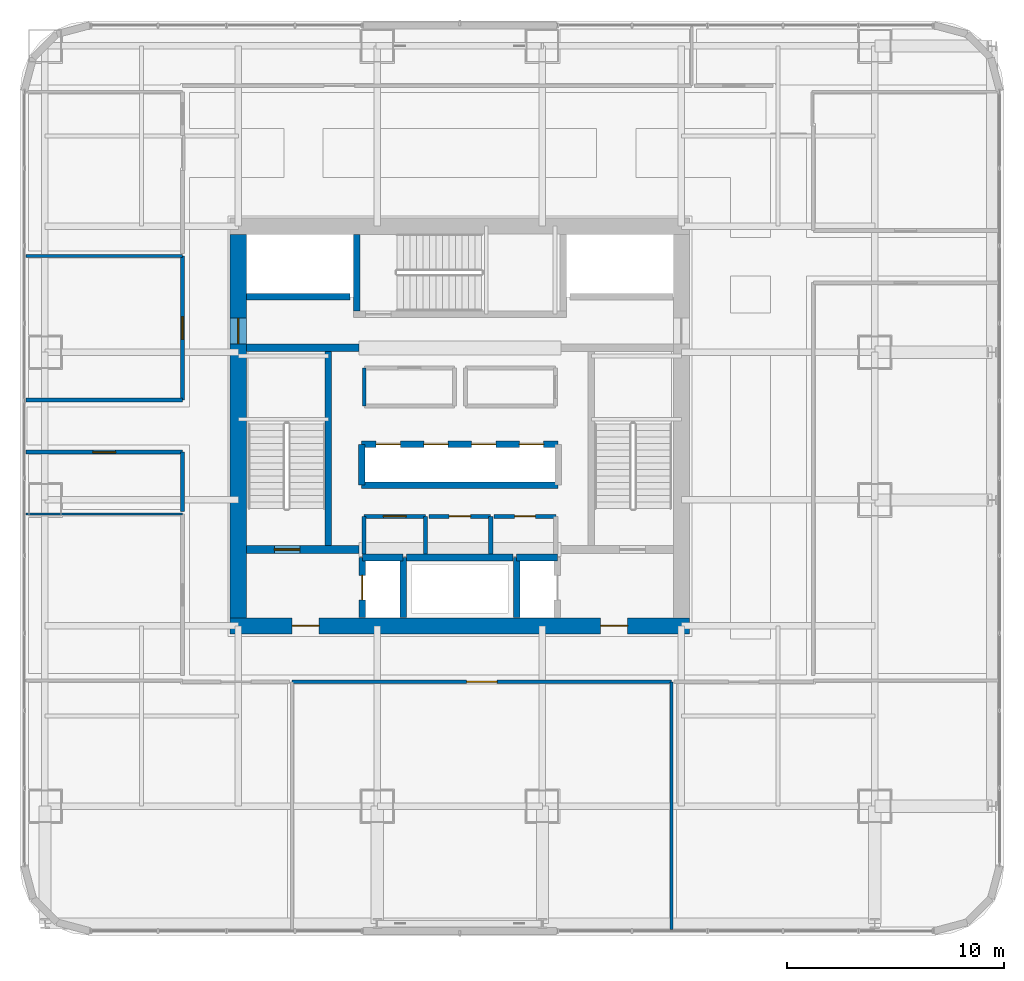
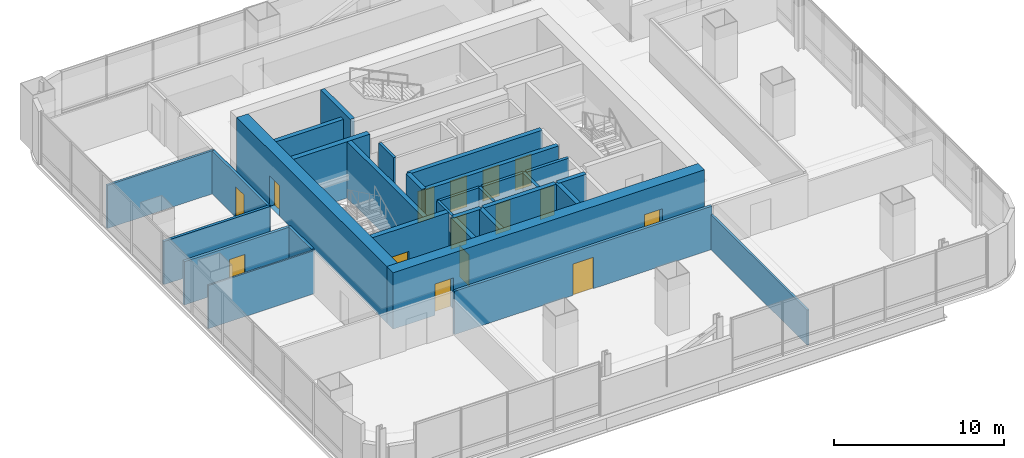
# One storey, part 28 of 40: 31 walls, 15 doors, 15 openings.
"""IFC4 building model written with IfcOpenShell, lengths in metres."""

from ifc_helpers import new_model, si_unit, direction, frame, frame_2d, origin, place, context, subcontext, project, spatial, rectangle, extrude, material, layer, layer_set, type_object, element, fill, save


model = new_model("IFC4")

# Units and contexts
model_context = context("Model", 3, precision=1e-05, world=origin(), true_north=direction((0.0, 1.0)))
body_context = subcontext(model_context, "Body", "Model", "MODEL_VIEW")
ifc_project = project(units=[si_unit("LENGTHUNIT", "METRE"), si_unit("AREAUNIT", "SQUARE_METRE"), si_unit("VOLUMEUNIT", "CUBIC_METRE"), si_unit("PLANEANGLEUNIT", "RADIAN"), si_unit("MASSUNIT", "GRAM", prefix="KILO")], contexts=[model_context])

# Site, building, storey
site_placement = place(None, origin())
site = spatial("IfcSite", under=ifc_project, at=site_placement, CompositionType="ELEMENT")
building_placement = place(site_placement, origin())
building = spatial("IfcBuilding", under=site, at=building_placement, Name="Punatoya Terracotta Tower", CompositionType="ELEMENT")
storey_placement = place(building_placement, frame((0.0, 0.0, 76.800048828125)))
storey = spatial("IfcBuildingStorey", under=building, at=storey_placement, Name="L17", CompositionType="ELEMENT", Elevation=76.800048828125)

# Wall, openings, doors
ifc_material_1 = material(Name="Concrete C60/75", Category="concrete")
ifc_layer_1 = layer(ifc_material_1, 0.75)
ifc_layer_set_1 = layer_set([ifc_layer_1], Name="Concrete C60/75")
wall_type_1 = type_object("IfcWallType", Name="WL-COR-750", PredefinedType="SHEAR", material=ifc_layer_set_1)
wall_1_placement = place(storey_placement, frame((10.574951171875, -9.199951171875, 0.0), z_axis=(0.0, 0.0, 1.0), x_axis=(-1.0, 0.0, 0.0)))
wall_1 = element("IfcWall", 1, at=wall_1_placement, inside=storey, type_object=wall_type_1, Name="L17 Core Shear Wall S", PredefinedType="SHEAR", context=body_context, shape_type="SweptSolid", body=[
    extrude(rectangle(XDim=21.14990234375, YDim=0.75, at=frame_2d((10.574951171875, 0.0))), origin(), (0.0, 0.0, 1.0), 4.050048828125),
])
opening_1_placement = place(wall_1_placement, frame((2.85009765625, 0.0, 0.0)))
opening_1 = element("IfcOpeningElement", 2, at=opening_1_placement, cuts=wall_1, Name="Opening FD-L1", PredefinedType="OPENING", context=body_context, shape_type="SweptSolid", body=[
    extrude(rectangle(XDim=1.25, YDim=2.25, at=frame_2d((0.625, 1.125))), frame((0.0, 0.385009765625, 0.0), z_axis=(0.0, -1.0, 0.0), x_axis=(1.0, 0.0, 0.0)), (0.0, 0.0, 1.0), 0.77001953125),
])
opening_2_placement = place(wall_1_placement, frame((17.050048828125, 0.0, 0.0)))
opening_2 = element("IfcOpeningElement", 3, at=opening_2_placement, cuts=wall_1, Name="Opening FD-L1", PredefinedType="OPENING", context=body_context, shape_type="SweptSolid", body=[
    extrude(rectangle(XDim=1.25, YDim=2.25, at=frame_2d((0.625, 1.125))), frame((0.0, 0.385009765625, 0.0), z_axis=(0.0, -1.0, 0.0), x_axis=(1.0, 0.0, 0.0)), (0.0, 0.0, 1.0), 0.77001953125),
])
ifc_material_2 = material(Name="Galvanised Steel Smokeproof Fire Door", Category="steel")
door_type_1 = type_object("IfcDoorType", Name="DR-FFL-1250", OperationType="NOTDEFINED", PredefinedType="DOOR", material=ifc_material_2)
door_1_placement = place(opening_1_placement, origin())
door_1 = element("IfcDoor", 4, at=door_1_placement, inside=storey, type_object=door_type_1, Name="L17 East Firefighting Lobby Corridor Fire Door", OperationType="SINGLE_SWING_LEFT", OverallHeight=2.25, OverallWidth=1.25, PredefinedType="DOOR", context=body_context, shape_type="SweptSolid", body=[
    extrude(rectangle(XDim=1.25, YDim=2.25, at=frame_2d((0.625, 1.125))), frame((0.0, 0.02490234375, 0.0), z_axis=(0.0, -1.0, 0.0), x_axis=(1.0, 0.0, 0.0)), (0.0, 0.0, 1.0), 0.050048828125),
])
fill(opening_1, door_1)
door_2_placement = place(opening_2_placement, origin())
door_2 = element("IfcDoor", 5, at=door_2_placement, inside=storey, type_object=door_type_1, Name="L17 West Firefighting Lobby Corridor Fire Door", OperationType="SINGLE_SWING_RIGHT", OverallHeight=2.25, OverallWidth=1.25, PredefinedType="DOOR", context=body_context, shape_type="SweptSolid", body=[
    extrude(rectangle(XDim=1.25, YDim=2.25, at=frame_2d((0.625, 1.125))), frame((0.0, 0.02490234375, 0.0), z_axis=(0.0, -1.0, 0.0), x_axis=(1.0, 0.0, 0.0)), (0.0, 0.0, 1.0), 0.050048828125),
])
fill(opening_2, door_2)

# Wall, opening, door
wall_2_placement = place(storey_placement, frame((-10.199951171875, -8.824951171875, 0.0), z_axis=(0.0, 0.0, 1.0), x_axis=(0.0, 1.0, 0.0)))
wall_2 = element("IfcWall", 6, at=wall_2_placement, inside=storey, type_object=wall_type_1, Name="L17 Core Shear Wall W", PredefinedType="SHEAR", context=body_context, shape_type="SweptSolid", body=[
    extrude(rectangle(XDim=17.64990234375, YDim=0.75, at=frame_2d((8.824951171875, 0.0))), origin(), (0.0, 0.0, 1.0), 4.050048828125),
])
opening_3_placement = place(wall_2_placement, frame((12.614990234375, 0.0, 0.0)))
opening_3 = element("IfcOpeningElement", 7, at=opening_3_placement, cuts=wall_2, Name="Opening SD-01", PredefinedType="OPENING", context=body_context, shape_type="SweptSolid", body=[
    extrude(rectangle(XDim=1.179931640625, YDim=2.199951171875, at=frame_2d((0.58984375, 1.10009765625))), frame((0.0, 0.385009765625, 0.0), z_axis=(0.0, -1.0, 0.0), x_axis=(1.0, 0.0, 0.0)), (0.0, 0.0, 1.0), 0.77001953125),
])
ifc_material_3 = material(Name="Galvanised Steel Pressurized Stair Fire Door", Category="steel")
door_type_2 = type_object("IfcDoorType", Name="DR-STR-1180", OperationType="NOTDEFINED", PredefinedType="DOOR", material=ifc_material_3)
door_3_placement = place(opening_3_placement, origin())
door_3 = element("IfcDoor", 8, at=door_3_placement, inside=storey, type_object=door_type_2, Name="L17 Central Lift Lobby West Fire Door", OperationType="SINGLE_SWING_LEFT", OverallHeight=2.199951171875, OverallWidth=1.179931640625, PredefinedType="DOOR", context=body_context, shape_type="SweptSolid", body=[
    extrude(rectangle(XDim=1.179931640625, YDim=2.199951171875, at=frame_2d((0.58984375, 1.10009765625))), frame((0.0, 0.02490234375, 0.0), z_axis=(0.0, -1.0, 0.0), x_axis=(1.0, 0.0, 0.0)), (0.0, 0.0, 1.0), 0.050048828125),
])
fill(opening_3, door_3)

# Wall
ifc_material_4 = material(Name="Gypsum Fireboard + Steel Stud", Category="steel")
ifc_layer_2 = layer(ifc_material_4, 0.179931640625)
ifc_layer_set_2 = layer_set([ifc_layer_2], Name="Gypsum Fireboard + Steel Stud")
wall_type_2 = type_object("IfcWallType", Name="WL-CORR-180", PredefinedType="PARTITIONING", material=ifc_layer_set_2)
wall_3_placement = place(storey_placement, frame((-1.580078125, -5.89990234375, 0.0), z_axis=(0.0, 0.0, 1.0), x_axis=(0.0, 1.0, 0.0)))
element("IfcWall", 9, at=wall_3_placement, inside=storey, type_object=wall_type_2, Name="L17 Core Quiet Wellness Room Partition 01", PredefinedType="PARTITIONING", context=body_context, shape_type="SweptSolid", body=[
    extrude(rectangle(XDim=1.739990234375, YDim=0.179931640625, at=frame_2d((0.8701171875, 0.0))), origin(), (0.0, 0.0, 1.0), 3.81005859375),
])

# Wall, opening, door
wall_4_placement = place(storey_placement, frame((-1.580078125, -4.159912109375, 0.0), z_axis=(0.0, 0.0, 1.0), x_axis=(-1.0, 0.0, 0.0)))
wall_4 = element("IfcWall", 10, at=wall_4_placement, inside=storey, type_object=wall_type_2, Name="L17 Core Quiet Wellness Room Partition 02", PredefinedType="PARTITIONING", context=body_context, shape_type="SweptSolid", body=[
    extrude(rectangle(XDim=2.83984375, YDim=0.179931640625, at=frame_2d((1.419921875, 0.0))), origin(), (0.0, 0.0, 1.0), 3.81005859375),
])
opening_4_placement = place(wall_4_placement, frame((0.89501953125, 0.0, 0.0)))
opening_4 = element("IfcOpeningElement", 11, at=opening_4_placement, cuts=wall_4, Name="Opening OD-01", PredefinedType="OPENING", context=body_context, shape_type="SweptSolid", body=[
    extrude(rectangle(XDim=1.050048828125, YDim=2.199951171875, at=frame_2d((0.52490234375, 1.10009765625))), frame((0.0, 0.099853515625, 0.0), z_axis=(0.0, -1.0, 0.0), x_axis=(1.0, 0.0, 0.0)), (0.0, 0.0, 1.0), 0.199951171875),
])
ifc_material_5 = material(Name="Bengal Teak Solid-Core Leaf")
door_type_3 = type_object("IfcDoorType", Name="DR-OFF-1050", OperationType="NOTDEFINED", PredefinedType="DOOR", material=ifc_material_5)
door_4_placement = place(opening_4_placement, origin())
door_4 = element("IfcDoor", 12, at=door_4_placement, inside=storey, type_object=door_type_3, Name="L17 Quiet Wellness Room Door", OperationType="SINGLE_SWING_LEFT", OverallHeight=2.199951171875, OverallWidth=1.050048828125, PredefinedType="DOOR", context=body_context, shape_type="SweptSolid", body=[
    extrude(rectangle(XDim=1.050048828125, YDim=2.199951171875, at=frame_2d((0.52490234375, 1.10009765625))), frame((0.0, 0.02490234375, 0.0), z_axis=(0.0, -1.0, 0.0), x_axis=(1.0, 0.0, 0.0)), (0.0, 0.0, 1.0), 0.050048828125),
])
fill(opening_4, door_4)

# Walls
wall_5_placement = place(storey_placement, frame((-4.419921875, -4.159912109375, 0.0), z_axis=(0.0, 0.0, 1.0), x_axis=(0.0, -1.0, 0.0)))
element("IfcWall", 13, at=wall_5_placement, inside=storey, type_object=wall_type_2, Name="L17 Core Quiet Wellness Room Partition 03", PredefinedType="PARTITIONING", context=body_context, shape_type="SweptSolid", body=[
    extrude(rectangle(XDim=1.739990234375, YDim=0.179931640625, at=frame_2d((0.8701171875, 0.0))), origin(), (0.0, 0.0, 1.0), 3.81005859375),
])
wall_6_placement = place(storey_placement, frame((-4.39990234375, 2.679931640625, 0.0), z_axis=(0.0, 0.0, 1.0), x_axis=(0.0, -1.0, 0.0)))
element("IfcWall", 14, at=wall_6_placement, inside=storey, type_object=wall_type_2, Name="L17 West Core Focus Pod Partition 10", PredefinedType="PARTITIONING", context=body_context, shape_type="SweptSolid", body=[
    extrude(rectangle(XDim=1.760009765625, YDim=0.179931640625, at=frame_2d((0.8798828125, 0.0))), origin(), (0.0, 0.0, 1.0), 3.81005859375),
])

# Wall, opening, door
wall_7_placement = place(storey_placement, frame((-7.72607421875, -11.77001953125, 0.0), z_axis=(0.0, 0.0, 1.0), x_axis=(1.0, 0.0, 0.0)))
wall_7 = element("IfcWall", 15, at=wall_7_placement, inside=storey, type_object=wall_type_2, Name="L17 Plenary Seminar Room Partition 18", PredefinedType="PARTITIONING", context=body_context, shape_type="SweptSolid", body=[
    extrude(rectangle(XDim=17.47412109375, YDim=0.179931640625, at=frame_2d((8.737060546875, 0.0))), origin(), (0.0, 0.0, 1.0), 3.10400390625),
])
opening_5_placement = place(wall_7_placement, frame((8.037109375, 0.0, 0.0)))
opening_5 = element("IfcOpeningElement", 16, at=opening_5_placement, cuts=wall_7, Name="Opening BD-01", PredefinedType="OPENING", context=body_context, shape_type="SweptSolid", body=[
    extrude(rectangle(XDim=1.39990234375, YDim=2.25, at=frame_2d((0.699951171875, 1.125))), frame((0.0, 0.099853515625, 0.0), z_axis=(0.0, -1.0, 0.0), x_axis=(1.0, 0.0, 0.0)), (0.0, 0.0, 1.0), 0.199951171875),
])
ifc_material_6 = material(Name="Bengal Teak Acoustic Leaf")
door_type_4 = type_object("IfcDoorType", Name="DR-BRD-1400", OperationType="NOTDEFINED", PredefinedType="DOOR", material=ifc_material_6)
door_5_placement = place(opening_5_placement, origin())
door_5 = element("IfcDoor", 17, at=door_5_placement, inside=storey, type_object=door_type_4, Name="L17 Plenary Seminar Room Door", OperationType="SINGLE_SWING_RIGHT", OverallHeight=2.25, OverallWidth=1.39990234375, PredefinedType="DOOR", context=body_context, shape_type="SweptSolid", body=[
    extrude(rectangle(XDim=1.39990234375, YDim=2.25, at=frame_2d((0.699951171875, 1.125))), frame((0.0, 0.02490234375, 0.0), z_axis=(0.0, -1.0, 0.0), x_axis=(1.0, 0.0, 0.0)), (0.0, 0.0, 1.0), 0.050048828125),
])
fill(opening_5, door_5)

wall_8_placement = place(storey_placement, frame((-19.969970703125, -1.199951171875, 0.0), z_axis=(0.0, 0.0, 1.0), x_axis=(1.0, 0.0, 0.0)))
wall_8 = element("IfcWall", 18, at=wall_8_placement, inside=storey, type_object=wall_type_2, Name="L17 Open-Plan Breakout Tea Pantry Partition 25", PredefinedType="PARTITIONING", context=body_context, shape_type="SweptSolid", body=[
    extrude(rectangle(XDim=7.199951171875, YDim=0.179931640625, at=frame_2d((3.60009765625, 0.0))), origin(), (0.0, 0.0, 1.0), 3.10400390625),
])
opening_6_placement = place(wall_8_placement, frame((3.074951171875, 0.0, 0.0)))
opening_6 = element("IfcOpeningElement", 19, at=opening_6_placement, cuts=wall_8, Name="Opening OD-01", PredefinedType="OPENING", context=body_context, shape_type="SweptSolid", body=[
    extrude(rectangle(XDim=1.050048828125, YDim=2.199951171875, at=frame_2d((0.52490234375, 1.10009765625))), frame((0.0, 0.099853515625, 0.0), z_axis=(0.0, -1.0, 0.0), x_axis=(1.0, 0.0, 0.0)), (0.0, 0.0, 1.0), 0.199951171875),
])
door_6_placement = place(opening_6_placement, origin())
door_6 = element("IfcDoor", 20, at=door_6_placement, inside=storey, type_object=door_type_3, Name="L17 Open-Plan Breakout Tea Pantry Door", OperationType="SINGLE_SWING_RIGHT", OverallHeight=2.199951171875, OverallWidth=1.050048828125, PredefinedType="DOOR", context=body_context, shape_type="SweptSolid", body=[
    extrude(rectangle(XDim=1.050048828125, YDim=2.199951171875, at=frame_2d((0.52490234375, 1.10009765625))), frame((0.0, 0.02490234375, 0.0), z_axis=(0.0, -1.0, 0.0), x_axis=(1.0, 0.0, 0.0)), (0.0, 0.0, 1.0), 0.050048828125),
])
fill(opening_6, door_6)

# Wall
wall_9_placement = place(storey_placement, frame((-12.77001953125, -1.199951171875, 0.0), z_axis=(0.0, 0.0, 1.0), x_axis=(0.0, -1.0, 0.0)))
element("IfcWall", 21, at=wall_9_placement, inside=storey, type_object=wall_type_2, Name="L17 Open-Plan Breakout Tea Pantry Partition 26", PredefinedType="PARTITIONING", context=body_context, shape_type="SweptSolid", body=[
    extrude(rectangle(XDim=2.72998046875, YDim=0.179931640625, at=frame_2d((1.364990234375, 0.0))), origin(), (0.0, 0.0, 1.0), 3.10400390625),
])

# Wall, opening, door
wall_10_placement = place(storey_placement, frame((-12.77001953125, 7.830078125, 0.0), z_axis=(0.0, 0.0, 1.0), x_axis=(0.0, -1.0, 0.0)))
wall_10 = element("IfcWall", 22, at=wall_10_placement, inside=storey, type_object=wall_type_2, Name="L17 Open-Plan Wellness Focus Room Partition 30", PredefinedType="PARTITIONING", context=body_context, shape_type="SweptSolid", body=[
    extrude(rectangle(XDim=6.630126953125, YDim=0.179931640625, at=frame_2d((3.31494140625, 0.0))), origin(), (0.0, 0.0, 1.0), 3.10400390625),
])
opening_7_placement = place(wall_10_placement, frame((2.7900390625, 0.0, 0.0)))
opening_7 = element("IfcOpeningElement", 23, at=opening_7_placement, cuts=wall_10, Name="Opening OD-01", PredefinedType="OPENING", context=body_context, shape_type="SweptSolid", body=[
    extrude(rectangle(XDim=1.050048828125, YDim=2.199951171875, at=frame_2d((0.52490234375, 1.10009765625))), frame((0.0, 0.099853515625, 0.0), z_axis=(0.0, -1.0, 0.0), x_axis=(1.0, 0.0, 0.0)), (0.0, 0.0, 1.0), 0.199951171875),
])
door_7_placement = place(opening_7_placement, origin())
door_7 = element("IfcDoor", 24, at=door_7_placement, inside=storey, type_object=door_type_3, Name="L17 Open-Plan Wellness Focus Room Door", OperationType="SINGLE_SWING_RIGHT", OverallHeight=2.199951171875, OverallWidth=1.050048828125, PredefinedType="DOOR", context=body_context, shape_type="SweptSolid", body=[
    extrude(rectangle(XDim=1.050048828125, YDim=2.199951171875, at=frame_2d((0.52490234375, 1.10009765625))), frame((0.0, 0.02490234375, 0.0), z_axis=(0.0, -1.0, 0.0), x_axis=(1.0, 0.0, 0.0)), (0.0, 0.0, 1.0), 0.050048828125),
])
fill(opening_7, door_7)

# Walls
wall_11_placement = place(storey_placement, frame((-12.77001953125, 1.199951171875, 0.0), z_axis=(0.0, 0.0, 1.0), x_axis=(-1.0, 0.0, 0.0)))
element("IfcWall", 25, at=wall_11_placement, inside=storey, type_object=wall_type_2, Name="L17 Open-Plan Wellness Focus Room Partition 31", PredefinedType="PARTITIONING", context=body_context, shape_type="SweptSolid", body=[
    extrude(rectangle(XDim=7.199951171875, YDim=0.179931640625, at=frame_2d((3.60009765625, 0.0))), origin(), (0.0, 0.0, 1.0), 3.10400390625),
])
ifc_material_7 = material(Name="Aluminium Framed Acoustic Glass Partition", Category="aluminium")
ifc_layer_3 = layer(ifc_material_7, 0.10009765625)
ifc_layer_set_3 = layer_set([ifc_layer_3], Name="Aluminium Framed Acoustic Glass Partition")
wall_type_3 = type_object("IfcWallType", Name="WL-GLZ-100", PredefinedType="PARTITIONING", material=ifc_layer_set_3)
wall_12_placement = place(storey_placement, frame((-19.969970703125, -4.050048828125, 0.0), z_axis=(0.0, 0.0, 1.0), x_axis=(1.0, 0.0, 0.0)))
element("IfcWall", 26, at=wall_12_placement, inside=storey, type_object=wall_type_3, Name="L17 Executive Briefing Room Partition 23", PredefinedType="PARTITIONING", context=body_context, shape_type="SweptSolid", body=[
    extrude(rectangle(XDim=7.199951171875, YDim=0.10009765625, at=frame_2d((3.60009765625, 0.0))), origin(), (0.0, 0.0, 1.0), 3.10400390625),
])
ifc_material_8 = material(Name="Concrete C40/50", Category="concrete")
ifc_layer_4 = layer(ifc_material_8, 0.199951171875)
ifc_layer_set_4 = layer_set([ifc_layer_4], Name="Concrete C40/50")
wall_type_4 = type_object("IfcWallType", Name="WL-INT-200", PredefinedType="SOLIDWALL", material=ifc_layer_set_4)
wall_13_placement = place(storey_placement, frame((1.419921875, -5.89990234375, 0.0), z_axis=(0.0, 0.0, 1.0), x_axis=(0.0, 1.0, 0.0)))
element("IfcWall", 27, at=wall_13_placement, inside=storey, type_object=wall_type_4, Name="L17 Accessible Universal Washroom Partition 04", PredefinedType="SOLIDWALL", context=body_context, shape_type="SweptSolid", body=[
    extrude(rectangle(XDim=1.739990234375, YDim=0.199951171875, at=frame_2d((0.8701171875, 0.0))), origin(), (0.0, 0.0, 1.0), 3.81005859375),
])

# Wall, opening, door
wall_14_placement = place(storey_placement, frame((1.419921875, -4.159912109375, 0.0), z_axis=(0.0, 0.0, 1.0), x_axis=(-1.0, 0.0, 0.0)))
wall_14 = element("IfcWall", 28, at=wall_14_placement, inside=storey, type_object=wall_type_4, Name="L17 Accessible Universal Washroom Partition 05", PredefinedType="SOLIDWALL", context=body_context, shape_type="SweptSolid", body=[
    extrude(rectangle(XDim=2.83984375, YDim=0.199951171875, at=frame_2d((1.419921875, 0.0))), origin(), (0.0, 0.0, 1.0), 3.81005859375),
])
opening_8_placement = place(wall_14_placement, frame((0.919921875, 0.0, 0.0)))
opening_8 = element("IfcOpeningElement", 29, at=opening_8_placement, cuts=wall_14, Name="Opening AWD-1", PredefinedType="OPENING", context=body_context, shape_type="SweptSolid", body=[
    extrude(rectangle(XDim=1.0, YDim=2.14990234375, at=frame_2d((0.5, 1.074951171875))), frame((0.0, 0.10986328125, 0.0), z_axis=(0.0, -1.0, 0.0), x_axis=(1.0, 0.0, 0.0)), (0.0, 0.0, 1.0), 0.219970703125),
])
ifc_material_9 = material(Name="Bengal Teak Accessible WC Leaf")
door_type_5 = type_object("IfcDoorType", Name="DR-ACC-1000", OperationType="NOTDEFINED", PredefinedType="DOOR", material=ifc_material_9)
door_8_placement = place(opening_8_placement, origin())
door_8 = element("IfcDoor", 30, at=door_8_placement, inside=storey, type_object=door_type_5, Name="L17 Accessible Universal Washroom Door", OperationType="SINGLE_SWING_RIGHT", OverallHeight=2.14990234375, OverallWidth=1.0, PredefinedType="DOOR", context=body_context, shape_type="SweptSolid", body=[
    extrude(rectangle(XDim=1.0, YDim=2.14990234375, at=frame_2d((0.5, 1.074951171875))), frame((0.0, 0.02490234375, 0.0), z_axis=(0.0, -1.0, 0.0), x_axis=(1.0, 0.0, 0.0)), (0.0, 0.0, 1.0), 0.050048828125),
])
fill(opening_8, door_8)

wall_15_placement = place(storey_placement, frame((4.419921875, -4.159912109375, 0.0), z_axis=(0.0, 0.0, 1.0), x_axis=(-1.0, 0.0, 0.0)))
wall_15 = element("IfcWall", 31, at=wall_15_placement, inside=storey, type_object=wall_type_4, Name="L17 All-Gender Washroom Partition 07", PredefinedType="SOLIDWALL", context=body_context, shape_type="SweptSolid", body=[
    extrude(rectangle(XDim=2.83984375, YDim=0.199951171875, at=frame_2d((1.419921875, 0.0))), origin(), (0.0, 0.0, 1.0), 3.81005859375),
])
opening_9_placement = place(wall_15_placement, frame((0.945068359375, 0.0, 0.0)))
opening_9 = element("IfcOpeningElement", 32, at=opening_9_placement, cuts=wall_15, Name="Opening WD-01", PredefinedType="OPENING", context=body_context, shape_type="SweptSolid", body=[
    extrude(rectangle(XDim=0.949951171875, YDim=2.14990234375, at=frame_2d((0.47509765625, 1.074951171875))), frame((0.0, 0.10986328125, 0.0), z_axis=(0.0, -1.0, 0.0), x_axis=(1.0, 0.0, 0.0)), (0.0, 0.0, 1.0), 0.219970703125),
])
ifc_material_10 = material(Name="Moisture-Resistant Laminate Timber Leaf", Category="wood")
door_type_6 = type_object("IfcDoorType", Name="DR-WC-950", OperationType="NOTDEFINED", PredefinedType="DOOR", material=ifc_material_10)
door_9_placement = place(opening_9_placement, origin())
door_9 = element("IfcDoor", 33, at=door_9_placement, inside=storey, type_object=door_type_6, Name="L17 All-Gender Washroom Door", OperationType="SINGLE_SWING_LEFT", OverallHeight=2.14990234375, OverallWidth=0.949951171875, PredefinedType="DOOR", context=body_context, shape_type="SweptSolid", body=[
    extrude(rectangle(XDim=0.949951171875, YDim=2.14990234375, at=frame_2d((0.47509765625, 1.074951171875))), frame((0.0, 0.02490234375, 0.0), z_axis=(0.0, -1.0, 0.0), x_axis=(1.0, 0.0, 0.0)), (0.0, 0.0, 1.0), 0.050048828125),
])
fill(opening_9, door_9)

# Walls
ifc_material_11 = material(Name="Acoustic Gypsum + Steel Stud", Category="steel")
ifc_layer_5 = layer(ifc_material_11, 0.139892578125)
ifc_layer_set_5 = layer_set([ifc_layer_5], Name="Acoustic Gypsum + Steel Stud")
wall_type_5 = type_object("IfcWallType", Name="WL-OFF-140", PredefinedType="PARTITIONING", material=ifc_layer_set_5)
wall_16_placement = place(storey_placement, frame((9.748046875, -11.77001953125, 0.0), z_axis=(0.0, 0.0, 1.0), x_axis=(0.0, -1.0, 0.0)))
element("IfcWall", 34, at=wall_16_placement, inside=storey, type_object=wall_type_5, Name="L17 Plenary Seminar Room Partition 16", PredefinedType="PARTITIONING", context=body_context, shape_type="SweptSolid", body=[
    extrude(rectangle(XDim=11.39990234375, YDim=0.139892578125, at=frame_2d((5.699951171875, 0.0))), origin(), (0.0, 0.0, 1.0), 2.52392578125),
])
wall_17_placement = place(storey_placement, frame((-19.969970703125, 7.830078125, 0.0), z_axis=(0.0, 0.0, 1.0), x_axis=(1.0, 0.0, 0.0)))
element("IfcWall", 35, at=wall_17_placement, inside=storey, type_object=wall_type_5, Name="L17 Open-Plan Wellness Focus Room Partition 29", PredefinedType="PARTITIONING", context=body_context, shape_type="SweptSolid", body=[
    extrude(rectangle(XDim=7.199951171875, YDim=0.139892578125, at=frame_2d((3.60009765625, 0.0))), origin(), (0.0, 0.0, 1.0), 3.10400390625),
])
ifc_layer_6 = layer(ifc_material_8, 0.300048828125)
ifc_layer_set_6 = layer_set([ifc_layer_6], Name="Concrete C40/50")
wall_type_6 = type_object("IfcWallType", Name="WL-SHF-300", PredefinedType="SOLIDWALL", material=ifc_layer_set_6)
wall_18_placement = place(storey_placement, frame((-6.050048828125, -5.5, 0.0), z_axis=(0.0, 0.0, 1.0), x_axis=(0.0, 1.0, 0.0)))
element("IfcWall", 36, at=wall_18_placement, inside=storey, type_object=wall_type_6, Name="L17 Structural Stair Shaft Wall SW-ST1-E", PredefinedType="SOLIDWALL", context=body_context, shape_type="SweptSolid", body=[
    extrude(rectangle(XDim=8.949951171875, YDim=0.300048828125, at=frame_2d((4.47509765625, 0.0))), origin(), (0.0, 0.0, 1.0), 4.050048828125),
])
wall_19_placement = place(storey_placement, frame((-4.75, 5.300048828125, 0.0), z_axis=(0.0, 0.0, 1.0), x_axis=(0.0, 1.0, 0.0)))
element("IfcWall", 37, at=wall_19_placement, inside=storey, type_object=wall_type_6, Name="L17 Structural Stair Shaft Wall SW-ST3-W", PredefinedType="SOLIDWALL", context=body_context, shape_type="SweptSolid", body=[
    extrude(rectangle(XDim=3.52490234375, YDim=0.300048828125, at=frame_2d((1.762451171875, 0.0))), origin(), (0.0, 0.0, 1.0), 4.050048828125),
])

# Wall, opening, door
wall_20_placement = place(storey_placement, frame((-4.489990234375, -8.820068359375, 0.0), z_axis=(0.0, 0.0, 1.0), x_axis=(0.0, 1.0, 0.0)))
wall_20 = element("IfcWall", 38, at=wall_20_placement, inside=storey, type_object=wall_type_6, Name="L17 FFL-1 Front Hoistway Wall", PredefinedType="SOLIDWALL", context=body_context, shape_type="SweptSolid", body=[
    extrude(rectangle(XDim=2.77001953125, YDim=0.300048828125, at=frame_2d((1.385009765625, 0.0))), origin(), (0.0, 0.0, 1.0), 3.81005859375),
])
opening_10_placement = place(wall_20_placement, frame((0.824951171875, 0.0, 0.0)))
opening_10 = element("IfcOpeningElement", 39, at=opening_10_placement, cuts=wall_20, Name="Opening LD-02", PredefinedType="OPENING", context=body_context, shape_type="SweptSolid", body=[
    extrude(rectangle(XDim=1.1201171875, YDim=2.25, at=frame_2d((0.56005859375, 1.125))), frame((0.0, 0.159912109375, 0.0), z_axis=(0.0, -1.0, 0.0), x_axis=(1.0, 0.0, 0.0)), (0.0, 0.0, 1.0), 0.320068359375),
])
ifc_material_12 = material(Name="Stainless Steel Lift Landing Door", Category="steel")
door_type_7 = type_object("IfcDoorType", Name="DR-LND-1120", OperationType="NOTDEFINED", PredefinedType="DOOR", material=ifc_material_12)
door_10_placement = place(opening_10_placement, origin())
door_10 = element("IfcDoor", 40, at=door_10_placement, inside=storey, type_object=door_type_7, Name="L17 Firefighting Lift FFL-1 Sliding Landing Door", OperationType="SLIDING_TO_LEFT", OverallHeight=2.25, OverallWidth=1.1201171875, PredefinedType="DOOR", context=body_context, shape_type="SweptSolid", body=[
    extrude(rectangle(XDim=1.1201171875, YDim=2.25, at=frame_2d((0.56005859375, 1.125))), frame((0.0, 0.02490234375, 0.0), z_axis=(0.0, -1.0, 0.0), x_axis=(1.0, 0.0, 0.0)), (0.0, 0.0, 1.0), 0.050048828125),
])
fill(opening_10, door_10)

# Walls
wall_21_placement = place(storey_placement, frame((-2.610107421875, -8.820068359375, 0.0), z_axis=(0.0, 0.0, 1.0), x_axis=(0.0, 1.0, 0.0)))
element("IfcWall", 41, at=wall_21_placement, inside=storey, type_object=wall_type_6, Name="L17 FFL-1 Rear Hoistway Wall", PredefinedType="SOLIDWALL", context=body_context, shape_type="SweptSolid", body=[
    extrude(rectangle(XDim=2.77001953125, YDim=0.300048828125, at=frame_2d((1.385009765625, 0.0))), origin(), (0.0, 0.0, 1.0), 3.81005859375),
])
wall_22_placement = place(storey_placement, frame((-4.489990234375, -6.050048828125, 0.0), z_axis=(0.0, 0.0, 1.0), x_axis=(1.0, 0.0, 0.0)))
element("IfcWall", 42, at=wall_22_placement, inside=storey, type_object=wall_type_6, Name="L17 FFL-1 North Hoistway Wall", PredefinedType="SOLIDWALL", context=body_context, shape_type="SweptSolid", body=[
    extrude(rectangle(XDim=1.8798828125, YDim=0.300048828125, at=frame_2d((0.93994140625, 0.0))), origin(), (0.0, 0.0, 1.0), 3.81005859375),
])
wall_23_placement = place(storey_placement, frame((2.610107421875, -8.820068359375, 0.0), z_axis=(0.0, 0.0, 1.0), x_axis=(0.0, 1.0, 0.0)))
element("IfcWall", 43, at=wall_23_placement, inside=storey, type_object=wall_type_6, Name="L17 FFL-2 Rear Hoistway Wall", PredefinedType="SOLIDWALL", context=body_context, shape_type="SweptSolid", body=[
    extrude(rectangle(XDim=2.77001953125, YDim=0.300048828125, at=frame_2d((1.385009765625, 0.0))), origin(), (0.0, 0.0, 1.0), 3.81005859375),
])
wall_24_placement = place(storey_placement, frame((2.610107421875, -6.050048828125, 0.0), z_axis=(0.0, 0.0, 1.0), x_axis=(1.0, 0.0, 0.0)))
element("IfcWall", 44, at=wall_24_placement, inside=storey, type_object=wall_type_6, Name="L17 FFL-2 North Hoistway Wall", PredefinedType="SOLIDWALL", context=body_context, shape_type="SweptSolid", body=[
    extrude(rectangle(XDim=1.8798828125, YDim=0.300048828125, at=frame_2d((0.93994140625, 0.0))), origin(), (0.0, 0.0, 1.0), 3.81005859375),
])

# Wall, openings, doors
wall_25_placement = place(storey_placement, frame((-4.52001953125, -0.840087890625, 0.0), z_axis=(0.0, 0.0, 1.0), x_axis=(1.0, 0.0, 0.0)))
wall_25 = element("IfcWall", 45, at=wall_25_placement, inside=storey, type_object=wall_type_6, Name="L17 South Lift Bank Front Shaft Wall", PredefinedType="SOLIDWALL", context=body_context, shape_type="SweptSolid", body=[
    extrude(rectangle(XDim=9.0400390625, YDim=0.300048828125, at=frame_2d((4.52001953125, 0.0))), origin(), (0.0, 0.0, 1.0), 3.81005859375),
])
opening_11_placement = place(wall_25_placement, frame((0.659912109375, 0.0, 0.0)))
opening_11 = element("IfcOpeningElement", 46, at=opening_11_placement, cuts=wall_25, Name="Opening LD-02", PredefinedType="OPENING", context=body_context, shape_type="SweptSolid", body=[
    extrude(rectangle(XDim=1.1201171875, YDim=2.25, at=frame_2d((0.56005859375, 1.125))), frame((0.0, 0.159912109375, 0.0), z_axis=(0.0, -1.0, 0.0), x_axis=(1.0, 0.0, 0.0)), (0.0, 0.0, 1.0), 0.320068359375),
])
opening_12_placement = place(wall_25_placement, frame((2.860107421875, 0.0, 0.0)))
opening_12 = element("IfcOpeningElement", 47, at=opening_12_placement, cuts=wall_25, Name="Opening LD-02", PredefinedType="OPENING", context=body_context, shape_type="SweptSolid", body=[
    extrude(rectangle(XDim=1.1201171875, YDim=2.25, at=frame_2d((0.56005859375, 1.125))), frame((0.0, 0.159912109375, 0.0), z_axis=(0.0, -1.0, 0.0), x_axis=(1.0, 0.0, 0.0)), (0.0, 0.0, 1.0), 0.320068359375),
])
opening_13_placement = place(wall_25_placement, frame((5.06005859375, 0.0, 0.0)))
opening_13 = element("IfcOpeningElement", 48, at=opening_13_placement, cuts=wall_25, Name="Opening LD-02", PredefinedType="OPENING", context=body_context, shape_type="SweptSolid", body=[
    extrude(rectangle(XDim=1.1201171875, YDim=2.25, at=frame_2d((0.56005859375, 1.125))), frame((0.0, 0.159912109375, 0.0), z_axis=(0.0, -1.0, 0.0), x_axis=(1.0, 0.0, 0.0)), (0.0, 0.0, 1.0), 0.320068359375),
])
opening_14_placement = place(wall_25_placement, frame((7.260009765625, 0.0, 0.0)))
opening_14 = element("IfcOpeningElement", 49, at=opening_14_placement, cuts=wall_25, Name="Opening LD-02", PredefinedType="OPENING", context=body_context, shape_type="SweptSolid", body=[
    extrude(rectangle(XDim=1.1201171875, YDim=2.25, at=frame_2d((0.56005859375, 1.125))), frame((0.0, 0.159912109375, 0.0), z_axis=(0.0, -1.0, 0.0), x_axis=(1.0, 0.0, 0.0)), (0.0, 0.0, 1.0), 0.320068359375),
])
door_11_placement = place(opening_11_placement, origin())
door_11 = element("IfcDoor", 50, at=door_11_placement, inside=storey, type_object=door_type_7, Name="L17 Lift PL-L1 Sliding Landing Door", OperationType="DOUBLE_DOOR_SLIDING", OverallHeight=2.25, OverallWidth=1.1201171875, PredefinedType="DOOR", context=body_context, shape_type="SweptSolid", body=[
    extrude(rectangle(XDim=1.1201171875, YDim=2.25, at=frame_2d((0.56005859375, 1.125))), frame((0.0, 0.02490234375, 0.0), z_axis=(0.0, -1.0, 0.0), x_axis=(1.0, 0.0, 0.0)), (0.0, 0.0, 1.0), 0.050048828125),
])
fill(opening_11, door_11)
door_12_placement = place(opening_12_placement, origin())
door_12 = element("IfcDoor", 51, at=door_12_placement, inside=storey, type_object=door_type_7, Name="L17 Lift PL-L2 Sliding Landing Door", OperationType="DOUBLE_DOOR_SLIDING", OverallHeight=2.25, OverallWidth=1.1201171875, PredefinedType="DOOR", context=body_context, shape_type="SweptSolid", body=[
    extrude(rectangle(XDim=1.1201171875, YDim=2.25, at=frame_2d((0.56005859375, 1.125))), frame((0.0, 0.02490234375, 0.0), z_axis=(0.0, -1.0, 0.0), x_axis=(1.0, 0.0, 0.0)), (0.0, 0.0, 1.0), 0.050048828125),
])
fill(opening_12, door_12)
door_13_placement = place(opening_13_placement, origin())
door_13 = element("IfcDoor", 52, at=door_13_placement, inside=storey, type_object=door_type_7, Name="L17 Lift PL-L3 Sliding Landing Door", OperationType="DOUBLE_DOOR_SLIDING", OverallHeight=2.25, OverallWidth=1.1201171875, PredefinedType="DOOR", context=body_context, shape_type="SweptSolid", body=[
    extrude(rectangle(XDim=1.1201171875, YDim=2.25, at=frame_2d((0.56005859375, 1.125))), frame((0.0, 0.02490234375, 0.0), z_axis=(0.0, -1.0, 0.0), x_axis=(1.0, 0.0, 0.0)), (0.0, 0.0, 1.0), 0.050048828125),
])
fill(opening_13, door_13)
door_14_placement = place(opening_14_placement, origin())
door_14 = element("IfcDoor", 53, at=door_14_placement, inside=storey, type_object=door_type_7, Name="L17 Lift PL-L4 Sliding Landing Door", OperationType="DOUBLE_DOOR_SLIDING", OverallHeight=2.25, OverallWidth=1.1201171875, PredefinedType="DOOR", context=body_context, shape_type="SweptSolid", body=[
    extrude(rectangle(XDim=1.1201171875, YDim=2.25, at=frame_2d((0.56005859375, 1.125))), frame((0.0, 0.02490234375, 0.0), z_axis=(0.0, -1.0, 0.0), x_axis=(1.0, 0.0, 0.0)), (0.0, 0.0, 1.0), 0.050048828125),
])
fill(opening_14, door_14)

# Walls
wall_26_placement = place(storey_placement, frame((-4.52001953125, -2.719970703125, 0.0), z_axis=(0.0, 0.0, 1.0), x_axis=(1.0, 0.0, 0.0)))
element("IfcWall", 54, at=wall_26_placement, inside=storey, type_object=wall_type_6, Name="L17 South Lift Bank Rear Shaft Wall", PredefinedType="SOLIDWALL", context=body_context, shape_type="SweptSolid", body=[
    extrude(rectangle(XDim=9.0400390625, YDim=0.300048828125, at=frame_2d((4.52001953125, 0.0))), origin(), (0.0, 0.0, 1.0), 3.81005859375),
])
wall_27_placement = place(storey_placement, frame((-4.52001953125, -2.719970703125, 0.0), z_axis=(0.0, 0.0, 1.0), x_axis=(0.0, 1.0, 0.0)))
element("IfcWall", 55, at=wall_27_placement, inside=storey, type_object=wall_type_6, Name="L17 South Lift Bank West End Wall", PredefinedType="SOLIDWALL", context=body_context, shape_type="SweptSolid", body=[
    extrude(rectangle(XDim=1.8798828125, YDim=0.300048828125, at=frame_2d((0.93994140625, 0.0))), origin(), (0.0, 0.0, 1.0), 3.81005859375),
])
wall_28_placement = place(storey_placement, frame((-9.820068359375, 5.949951171875, 0.0), z_axis=(0.0, 0.0, 1.0), x_axis=(1.0, 0.0, 0.0)))
element("IfcWall", 56, at=wall_28_placement, inside=storey, type_object=wall_type_6, Name="L17 Shuttle SL-1 South Hoistway Wall", PredefinedType="SOLIDWALL", context=body_context, shape_type="SweptSolid", body=[
    extrude(rectangle(XDim=4.760009765625, YDim=0.300048828125, at=frame_2d((2.3798828125, 0.0))), origin(), (0.0, 0.0, 1.0), 3.81005859375),
])
wall_29_placement = place(storey_placement, frame((-2.449951171875, -6.050048828125, 0.0), z_axis=(0.0, 0.0, 1.0), x_axis=(1.0, 0.0, 0.0)))
element("IfcWall", 57, at=wall_29_placement, inside=storey, type_object=wall_type_6, Name="L17 Observation Shuttle Rear Hoistway Wall", PredefinedType="SOLIDWALL", context=body_context, shape_type="SweptSolid", body=[
    extrude(rectangle(XDim=4.89990234375, YDim=0.300048828125, at=frame_2d((2.449951171875, 0.0))), origin(), (0.0, 0.0, 1.0), 3.81005859375),
])

# Wall, opening, door
ifc_material_13 = material(Name="Concrete C50/60", Category="concrete")
ifc_layer_7 = layer(ifc_material_13, 0.35009765625)
ifc_layer_set_7 = layer_set([ifc_layer_7], Name="Concrete C50/60")
wall_type_7 = type_object("IfcWallType", Name="WL-SHF-350", PredefinedType="SOLIDWALL", material=ifc_layer_set_7)
wall_30_placement = place(storey_placement, frame((-9.824951171875, -5.679931640625, 0.0), z_axis=(0.0, 0.0, 1.0), x_axis=(1.0, 0.0, 0.0)))
wall_30 = element("IfcWall", 58, at=wall_30_placement, inside=storey, type_object=wall_type_7, Name="L17 Core Web Wall CSW-L", PredefinedType="SOLIDWALL", context=body_context, shape_type="SweptSolid", body=[
    extrude(rectangle(XDim=5.175048828125, YDim=0.35009765625, at=frame_2d((2.58740234375, 0.0))), origin(), (0.0, 0.0, 1.0), 4.050048828125),
])
opening_15_placement = place(wall_30_placement, frame((1.284912109375, 0.0, 0.0)))
opening_15 = element("IfcOpeningElement", 59, at=opening_15_placement, cuts=wall_30, Name="Opening SD-01", PredefinedType="OPENING", context=body_context, shape_type="SweptSolid", body=[
    extrude(rectangle(XDim=1.179931640625, YDim=2.199951171875, at=frame_2d((0.58984375, 1.10009765625))), frame((0.0, 0.18505859375, 0.0), z_axis=(0.0, -1.0, 0.0), x_axis=(1.0, 0.0, 0.0)), (0.0, 0.0, 1.0), 0.3701171875),
])
door_15_placement = place(opening_15_placement, origin())
door_15 = element("IfcDoor", 60, at=door_15_placement, inside=storey, type_object=door_type_2, Name="L17 Stair ST-1 Smokeproof Lobby Fire Door", OperationType="SINGLE_SWING_LEFT", OverallHeight=2.199951171875, OverallWidth=1.179931640625, PredefinedType="DOOR", context=body_context, shape_type="SweptSolid", body=[
    extrude(rectangle(XDim=1.179931640625, YDim=2.199951171875, at=frame_2d((0.58984375, 1.10009765625))), frame((0.0, 0.02490234375, 0.0), z_axis=(0.0, -1.0, 0.0), x_axis=(1.0, 0.0, 0.0)), (0.0, 0.0, 1.0), 0.050048828125),
])
fill(opening_15, door_15)

# Wall
wall_31_placement = place(storey_placement, frame((-9.824951171875, 3.60009765625, 0.0), z_axis=(0.0, 0.0, 1.0), x_axis=(1.0, 0.0, 0.0)))
element("IfcWall", 61, at=wall_31_placement, inside=storey, type_object=wall_type_7, Name="L17 Core Web Wall CNW-L", PredefinedType="SOLIDWALL", context=body_context, shape_type="SweptSolid", body=[
    extrude(rectangle(XDim=5.175048828125, YDim=0.35009765625, at=frame_2d((2.58740234375, 0.0))), origin(), (0.0, 0.0, 1.0), 4.050048828125),
])

save(model, "model.ifc")
